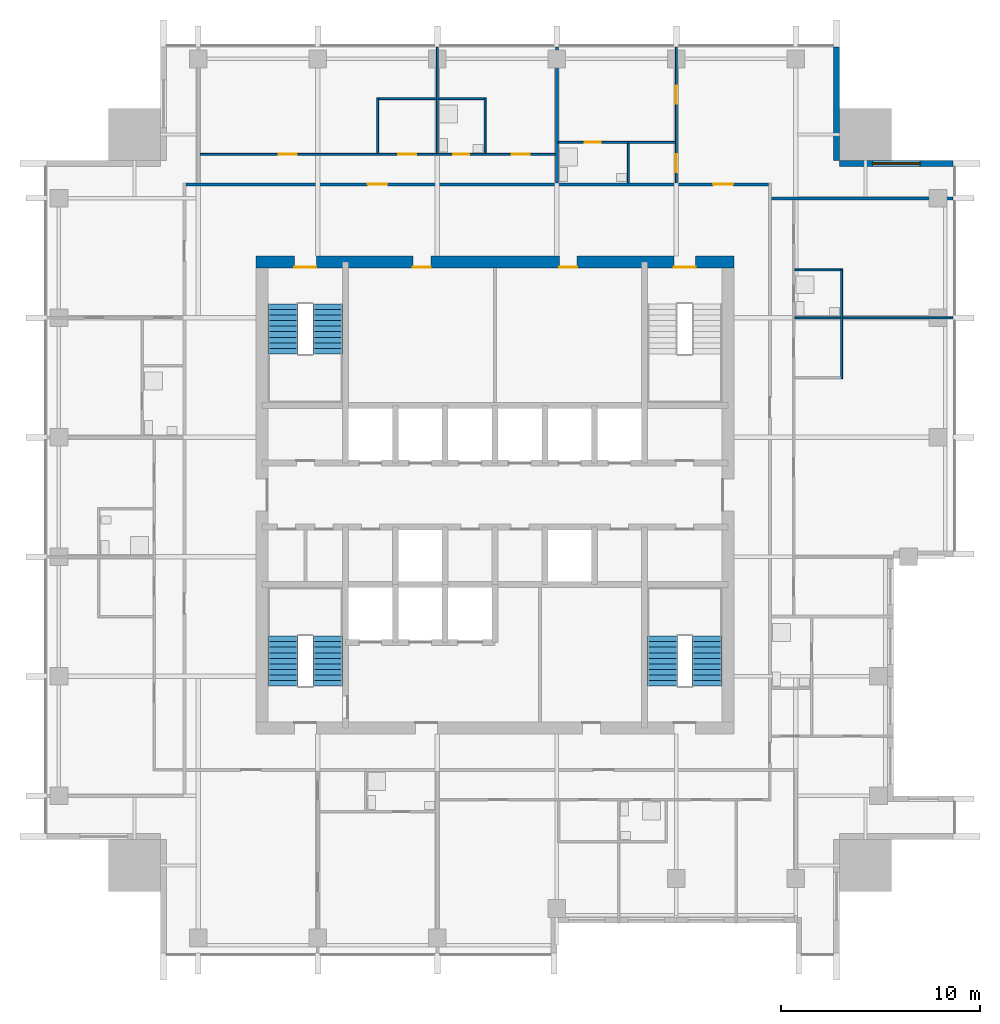
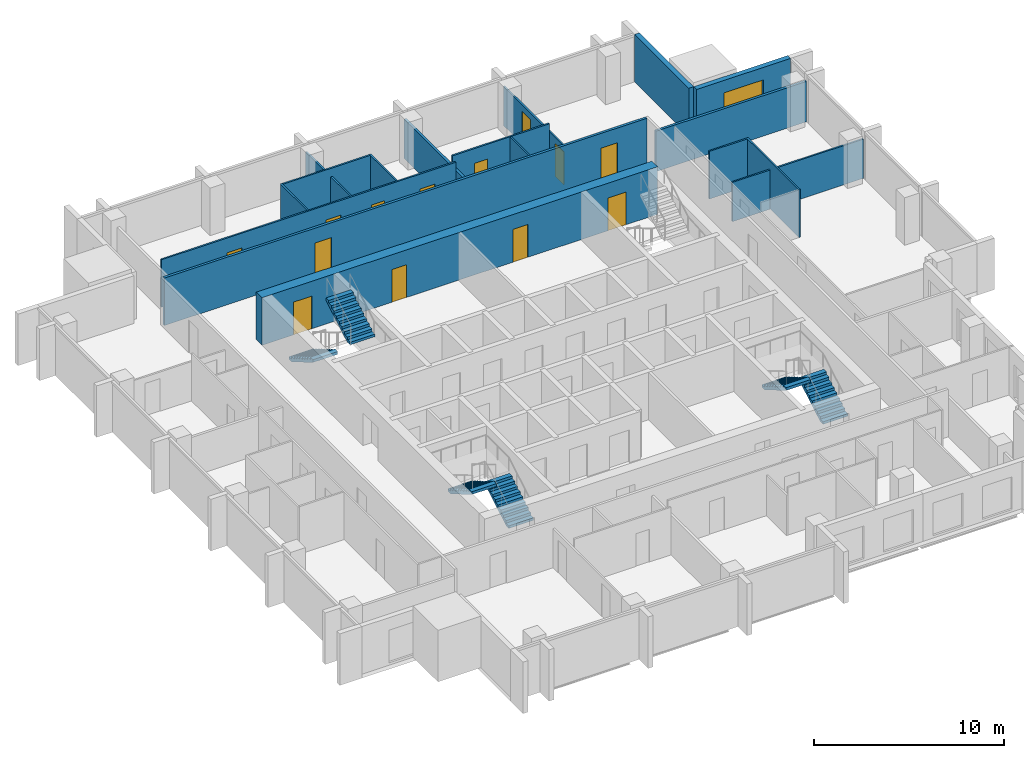
# One storey, part 7 of 10: 17 walls, 13 doors, 6 stair flights, 1 window, 14 openings, 3 elements without a shape of their own.
"""IFC4 building model written with IfcOpenShell, lengths in metres."""

import ifcopenshell
import ifcopenshell.guid

model = None  # the IFC model being written
_history = None  # IfcOwnerHistory: only IFC2X3 demands one
_inside = {}  # id of a spatial element -> (the spatial element, [elements in it])
_under = {}  # id of a project, library or spatial element -> (it, [spatial elements below it])
_declared = {}  # id of a project -> (the project, [libraries it declares])
_typed = {}  # id of a type object -> (the type object, [elements of that type])
_made_of = {}  # id of a material, layer set ... -> (it, [elements and type objects made of it])


def new_model(schema):
    """Start an empty IFC model of exactly this schema.

    Asked for "IFC4X3", IfcOpenShell would pick the latest addendum, in which some entities
    have other attributes; the version numbers below select the first issue.
    IFC2X3 requires an IfcOwnerHistory on every rooted entity: one is made here for all.
    """
    global model, _history
    if schema == "IFC4X3":
        model = ifcopenshell.file(schema_version=(4, 3, 0, 0))
    else:
        model = ifcopenshell.file(schema=schema)
    _inside.clear()
    _under.clear()
    _declared.clear()
    _typed.clear()
    _made_of.clear()
    _history = None
    if model.schema == "IFC2X3":
        org = make("IfcOrganization", Name="unknown")
        user = make(
            "IfcPersonAndOrganization",
            ThePerson=make("IfcPerson", FamilyName="unknown"),
            TheOrganization=org,
        )
        app = make(
            "IfcApplication",
            ApplicationDeveloper=org,
            Version="unknown",
            ApplicationFullName="unknown",
            ApplicationIdentifier="unknown",
        )
        _history = make(
            "IfcOwnerHistory",
            OwningUser=user,
            OwningApplication=app,
            ChangeAction="ADDED",
            CreationDate=0,
        )
    return model


def make(cls, **values):
    """One entity of the class cls with the attributes given. An attribute that is None is left unset."""
    return model.create_entity(
        cls, **{name: value for name, value in values.items() if value is not None}
    )


def rooted(cls, **values):
    """An entity with a GlobalId (a new one), such as an element, a storey or a relation."""
    return make(cls, GlobalId=ifcopenshell.guid.new(), OwnerHistory=_history, **values)


def si_unit(unit_type, name, prefix=None):
    """IfcSIUnit, for example si_unit("LENGTHUNIT", "METRE", prefix="MILLI")."""
    return make("IfcSIUnit", UnitType=unit_type, Prefix=prefix, Name=name)


def assignment(units):
    """IfcUnitAssignment: the units of a project."""
    return None if units is None else make("IfcUnitAssignment", Units=units)


def point(xyz):
    """IfcCartesianPoint."""
    return None if xyz is None else make("IfcCartesianPoint", Coordinates=xyz)


def direction(xyz):
    """IfcDirection."""
    return None if xyz is None else make("IfcDirection", DirectionRatios=xyz)


def frame(location, z_axis=None, x_axis=None):
    """IfcAxis2Placement3D, a coordinate frame: its origin and axes. An axis left out is left unset."""
    return make(
        "IfcAxis2Placement3D",
        Location=point(location),
        Axis=direction(z_axis),
        RefDirection=direction(x_axis),
    )


def frame_2d(location, x_axis=None):
    """IfcAxis2Placement2D, a coordinate frame in the plane: its origin and x axis."""
    return make(
        "IfcAxis2Placement2D", Location=point(location), RefDirection=direction(x_axis)
    )


def origin():
    """The frame at (0, 0, 0) with its axes left unset."""
    return frame((0.0, 0.0, 0.0))


def place(relative_to, where):
    """IfcLocalPlacement: puts the frame where relative to a parent placement (None: the world)."""
    return make(
        "IfcLocalPlacement", PlacementRelTo=relative_to, RelativePlacement=where
    )


def context(
    kind, dimensions, precision=None, world=None, true_north=None, identifier=None
):
    """IfcGeometricRepresentationContext, for example the 3D "Model" context."""
    return make(
        "IfcGeometricRepresentationContext",
        ContextIdentifier=identifier,
        ContextType=kind,
        CoordinateSpaceDimension=dimensions,
        Precision=precision,
        WorldCoordinateSystem=world,
        TrueNorth=true_north,
    )


def subcontext(parent, identifier, kind, view, scale=None):
    """IfcGeometricRepresentationSubContext, for example "Body" below "Model"."""
    return make(
        "IfcGeometricRepresentationSubContext",
        ContextIdentifier=identifier,
        ContextType=kind,
        ParentContext=parent,
        TargetScale=scale,
        TargetView=view,
    )


def project(units=None, contexts=None):
    """IfcProject with its units and contexts."""
    return rooted(
        "IfcProject",
        Name="project",
        RepresentationContexts=contexts,
        UnitsInContext=assignment(units),
    )


def spatial(cls, under=None, at=None, **own):
    """A site, building, storey or space (cls), placed at a placement, below another one or the project."""
    s = rooted(cls, ObjectPlacement=at, **own)
    if under is not None:
        _under.setdefault(under.id(), (under, []))[1].append(s)
    return s


def polyline(points):
    """IfcPolyline through the points."""
    return make("IfcPolyline", Points=[point(p) for p in points])


def profile(cls, at=None, kind="AREA", **sizes):
    """A parametric profile (cls). Its sizes go by their IFC names, for example OverallWidth=200.0."""
    return make(cls, ProfileType=kind, Position=at, **sizes)


def rectangle(**sizes):
    """IfcRectangleProfileDef."""
    return profile("IfcRectangleProfileDef", **sizes)


def outline(outer, holes=None, kind="AREA"):
    """IfcArbitraryClosedProfileDef: a profile drawn as a closed curve; with holes, ...WithVoids."""
    if holes is None:
        return make("IfcArbitraryClosedProfileDef", ProfileType=kind, OuterCurve=outer)
    return make(
        "IfcArbitraryProfileDefWithVoids",
        ProfileType=kind,
        OuterCurve=outer,
        InnerCurves=holes,
    )


def extrude(swept, where, along, depth):
    """IfcExtrudedAreaSolid: the profile swept, set in the frame where, extruded along a direction by depth."""
    return make(
        "IfcExtrudedAreaSolid",
        SweptArea=swept,
        Position=where,
        ExtrudedDirection=direction(along),
        Depth=depth,
    )


def shape(context_of_items, identifier, shape_type, items):
    """IfcShapeRepresentation: the items that make up one representation, for example the "Body"."""
    return make(
        "IfcShapeRepresentation",
        ContextOfItems=context_of_items,
        RepresentationIdentifier=identifier,
        RepresentationType=shape_type,
        Items=items,
    )


def material(Name=None, Category=None):
    """IfcMaterial."""
    return make("IfcMaterial", Name=Name, Category=Category)


def layer(
    of_material, thickness, ventilated=None, Name=None, Category=None, Priority=None
):
    """IfcMaterialLayer: one layer of a wall or slab, of a material (None: an air gap)."""
    return make(
        "IfcMaterialLayer",
        Material=of_material,
        LayerThickness=thickness,
        IsVentilated=ventilated,
        Name=Name,
        Category=Category,
        Priority=Priority,
    )


def layer_set(layers, Name=None):
    """IfcMaterialLayerSet."""
    return make("IfcMaterialLayerSet", MaterialLayers=layers, LayerSetName=Name)


def made_of(thing, what):
    """Note that an element or type object is made of a material, layer set ...; save() writes the relation."""
    if what is not None:
        _made_of.setdefault(what.id(), (what, []))[1].append(thing)
    return thing


def type_object(cls, material=None, **own):
    """A type object (cls), such as IfcWallType, which elements share."""
    return made_of(rooted(cls, **own), material)


def element(
    cls,
    number,
    at=None,
    inside=None,
    cuts=None,
    type_object=None,
    material=None,
    context=None,
    identifier="Body",
    shape_type=None,
    held_by="IfcProductDefinitionShape",
    body=None,
    shapes=None,
    **own,
):
    """One element of the class cls, such as IfcWall. Its Tag is "e" and its number.

    at: its placement. inside: the storey or other place that contains it. cuts: it is an
    opening in that element (IfcRelVoidsElement). A single representation is given by context,
    identifier, shape_type and body (its items); several are given by shapes. held_by: the class
    of the entity that holds the representations. save() writes the other relations.
    """
    e = rooted(cls, Tag="e%d" % number, ObjectPlacement=at, **own)
    if body is not None:
        shapes = [shape(context, identifier, shape_type, body)]
    if shapes is not None:
        e.Representation = make(held_by, Representations=shapes)
    if inside is not None:
        _inside.setdefault(inside.id(), (inside, []))[1].append(e)
    if cuts is not None:
        rooted(
            "IfcRelVoidsElement", RelatingBuildingElement=cuts, RelatedOpeningElement=e
        )
    if type_object is not None:
        _typed.setdefault(type_object.id(), (type_object, []))[1].append(e)
    return made_of(e, material)


def fill(opening, filler):
    """IfcRelFillsElement: the door or window that sits in an opening."""
    return rooted(
        "IfcRelFillsElement",
        RelatingOpeningElement=opening,
        RelatedBuildingElement=filler,
    )


def aggregate(whole, parts):
    """IfcRelAggregates: a whole, such as a stair, and the parts it consists of."""
    return rooted("IfcRelAggregates", RelatingObject=whole, RelatedObjects=parts)


def save(model, path):
    """Write the relations noted so far, then the file.

    IfcRelAggregates (storeys below a building ...), IfcRelContainedInSpatialStructure (elements
    in a storey), IfcRelDefinesByType, IfcRelAssociatesMaterial and IfcRelDeclares: one each for
    every whole, place, type object, material and project.
    """
    for whole, parts in _under.values():
        aggregate(whole, parts)
    for where, things in _inside.values():
        rooted(
            "IfcRelContainedInSpatialStructure",
            RelatedElements=things,
            RelatingStructure=where,
        )
    for kind, things in _typed.values():
        rooted("IfcRelDefinesByType", RelatedObjects=things, RelatingType=kind)
    for what, things in _made_of.values():
        rooted("IfcRelAssociatesMaterial", RelatedObjects=things, RelatingMaterial=what)
    for by, libraries in _declared.values():
        rooted("IfcRelDeclares", RelatingContext=by, RelatedDefinitions=libraries)
    model.write(path)


model = new_model("IFC4")

# Units and contexts
model_context = context("Model", 3, precision=1e-05, world=origin(), true_north=direction((0.0, 1.0)))
body_context = subcontext(model_context, "Body", "Model", "MODEL_VIEW")
ifc_project = project(units=[si_unit("LENGTHUNIT", "METRE"), si_unit("AREAUNIT", "SQUARE_METRE"), si_unit("VOLUMEUNIT", "CUBIC_METRE"), si_unit("PLANEANGLEUNIT", "RADIAN"), si_unit("MASSUNIT", "GRAM", prefix="KILO")], contexts=[model_context])

# Site, building, storey
site_placement = place(None, origin())
site = spatial("IfcSite", under=ifc_project, at=site_placement, CompositionType="ELEMENT")
building_placement = place(site_placement, origin())
building = spatial("IfcBuilding", under=site, at=building_placement, Name="Amberfall Residences", CompositionType="ELEMENT")
storey_placement = place(building_placement, frame((0.0, 0.0, 213.39990234375)))
storey = spatial("IfcBuildingStorey", under=building, at=storey_placement, Name="L57", CompositionType="ELEMENT", Elevation=213.39990234375)

# Wall, opening, window
ifc_material_1 = material(Name="Pale stone cladding on insulated backing", Category="masonry")
ifc_layer_1 = layer(ifc_material_1, 0.300048828125)
ifc_layer_set_1 = layer_set([ifc_layer_1], Name="Bronze clad wall 300")
wall_type_1 = type_object("IfcWallType", Name="Bronze clad wall 300", PredefinedType="SOLIDWALL", material=ifc_layer_set_1)
wall_1_placement = place(storey_placement, frame((97.5, 62.14990234375, 0.0), z_axis=(0.0, 0.0, 1.0), x_axis=(-1.0, 0.0, 0.0)))
wall_1 = element("IfcWall", 1, at=wall_1_placement, inside=storey, type_object=wall_type_1, Name="External wall L57 NE", PredefinedType="SOLIDWALL", context=body_context, shape_type="SweptSolid", body=[
    extrude(rectangle(XDim=5.699951171875, YDim=0.300048828125, at=frame_2d((2.85009765625, 0.0))), origin(), (0.0, 0.0, 1.0), 3.050048828125),
])
opening_1_placement = place(wall_1_placement, frame((1.64990234375, 0.0, 0.14990234375)))
opening_1 = element("IfcOpeningElement", 2, at=opening_1_placement, cuts=wall_1, Name="Opening WN5", PredefinedType="OPENING", context=body_context, shape_type="SweptSolid", body=[
    extrude(rectangle(XDim=2.39990234375, YDim=2.10009765625, at=frame_2d((1.199951171875, 1.050048828125))), frame((0.0, 0.159912109375, 0.0), z_axis=(0.0, -1.0, 0.0), x_axis=(1.0, 0.0, 0.0)), (0.0, 0.0, 1.0), 0.320068359375),
])
ifc_material_2 = material(Name="Bronze aluminium framed glazing", Category="aluminium")
window_type = type_object("IfcWindowType", Name="Glazed opening 2400 x 2100 bronze", PartitioningType="DOUBLE_PANEL_VERTICAL", PredefinedType="WINDOW", material=ifc_material_2)
window_placement = place(opening_1_placement, origin())
window = element("IfcWindow", 3, at=window_placement, inside=storey, type_object=window_type, Name="Window L57 NE", OverallHeight=2.10009765625, OverallWidth=2.39990234375, PartitioningType="DOUBLE_PANEL_VERTICAL", PredefinedType="WINDOW", context=body_context, shape_type="SweptSolid", body=[
    extrude(rectangle(XDim=2.39990234375, YDim=2.10009765625, at=frame_2d((1.199951171875, 1.050048828125))), frame((0.0, 0.030029296875, 0.0), z_axis=(0.0, -1.0, 0.0), x_axis=(1.0, 0.0, 0.0)), (0.0, 0.0, 1.0), 0.06005859375),
])
fill(opening_1, window)

# Wall
wall_2_placement = place(storey_placement, frame((91.64990234375, 62.300048828125, 0.0), z_axis=(0.0, 0.0, 1.0), x_axis=(0.0, 1.0, 0.0)))
element("IfcWall", 4, at=wall_2_placement, inside=storey, type_object=wall_type_1, Name="External wall L57 NE", PredefinedType="SOLIDWALL", context=body_context, shape_type="SweptSolid", body=[
    extrude(rectangle(XDim=5.699951171875, YDim=0.300048828125, at=frame_2d((2.85009765625, 0.0))), origin(), (0.0, 0.0, 1.0), 3.050048828125),
])

# Wall, openings, doors
ifc_material_3 = material(Name="Concrete C55", Category="concrete")
ifc_layer_2 = layer(ifc_material_3, 0.60009765625)
ifc_layer_set_2 = layer_set([ifc_layer_2], Name="Core wall 600 C55")
wall_type_2 = type_object("IfcWallType", Name="Core wall 600 C55", PredefinedType="SHEAR", material=ifc_layer_set_2)
wall_3_placement = place(storey_placement, frame((62.5, 57.199951171875, 0.0), z_axis=(0.0, 0.0, 1.0), x_axis=(1.0, 0.0, 0.0)))
wall_3 = element("IfcWall", 5, at=wall_3_placement, inside=storey, type_object=wall_type_2, Name="Core wall RW7 L57 ON", PredefinedType="SHEAR", context=body_context, shape_type="SweptSolid", body=[
    extrude(rectangle(XDim=24.0, YDim=0.60009765625, at=frame_2d((12.0, 0.0))), origin(), (0.0, 0.0, 1.0), 3.050048828125),
])
opening_2_placement = place(wall_3_placement, frame((20.97509765625, 0.0, 0.0)))
opening_2 = element("IfcOpeningElement", 6, at=opening_2_placement, cuts=wall_3, Name="Opening SD1", PredefinedType="OPENING", context=body_context, shape_type="SweptSolid", body=[
    extrude(rectangle(XDim=1.10009765625, YDim=2.10009765625, at=frame_2d((0.550048828125, 1.050048828125))), frame((0.0, 0.31005859375, 0.0), z_axis=(0.0, -1.0, 0.0), x_axis=(1.0, 0.0, 0.0)), (0.0, 0.0, 1.0), 0.6201171875),
])
opening_3_placement = place(wall_3_placement, frame((1.925048828125, 0.0, 0.0)))
opening_3 = element("IfcOpeningElement", 7, at=opening_3_placement, cuts=wall_3, Name="Opening SD1", PredefinedType="OPENING", context=body_context, shape_type="SweptSolid", body=[
    extrude(rectangle(XDim=1.10009765625, YDim=2.10009765625, at=frame_2d((0.550048828125, 1.050048828125))), frame((0.0, 0.31005859375, 0.0), z_axis=(0.0, -1.0, 0.0), x_axis=(1.0, 0.0, 0.0)), (0.0, 0.0, 1.0), 0.6201171875),
])
opening_4_placement = place(wall_3_placement, frame((7.875, 0.0, 0.0)))
opening_4 = element("IfcOpeningElement", 8, at=opening_4_placement, cuts=wall_3, Name="Opening RD1", PredefinedType="OPENING", context=body_context, shape_type="SweptSolid", body=[
    extrude(rectangle(XDim=0.89990234375, YDim=2.10009765625, at=frame_2d((0.449951171875, 1.050048828125))), frame((0.0, 0.31005859375, 0.0), z_axis=(0.0, -1.0, 0.0), x_axis=(1.0, 0.0, 0.0)), (0.0, 0.0, 1.0), 0.6201171875),
])
opening_5_placement = place(wall_3_placement, frame((15.22509765625, 0.0, 0.0)))
opening_5 = element("IfcOpeningElement", 9, at=opening_5_placement, cuts=wall_3, Name="Opening RD1", PredefinedType="OPENING", context=body_context, shape_type="SweptSolid", body=[
    extrude(rectangle(XDim=0.89990234375, YDim=2.10009765625, at=frame_2d((0.449951171875, 1.050048828125))), frame((0.0, 0.31005859375, 0.0), z_axis=(0.0, -1.0, 0.0), x_axis=(1.0, 0.0, 0.0)), (0.0, 0.0, 1.0), 0.6201171875),
])
ifc_material_4 = material(Name="Steel fire door set", Category="steel")
door_type_1 = type_object("IfcDoorType", Name="Service room door 900 x 2100", OperationType="SINGLE_SWING_LEFT", PredefinedType="DOOR", material=ifc_material_4)
door_1_placement = place(opening_4_placement, origin())
door_1 = element("IfcDoor", 10, at=door_1_placement, inside=storey, type_object=door_type_1, Name="RD1 L57", OperationType="SINGLE_SWING_RIGHT", OverallHeight=2.10009765625, OverallWidth=0.89990234375, PredefinedType="DOOR", context=body_context, shape_type="SweptSolid", body=[
    extrude(rectangle(XDim=0.89990234375, YDim=2.10009765625, at=frame_2d((0.449951171875, 1.050048828125))), frame((0.0, -0.2373046875, 0.0), z_axis=(0.0, -1.0, 0.0), x_axis=(1.0, 0.0, 0.0)), (0.0, 0.0, 1.0), 0.050048828125),
])
fill(opening_4, door_1)
door_2_placement = place(opening_5_placement, origin())
door_2 = element("IfcDoor", 11, at=door_2_placement, inside=storey, type_object=door_type_1, Name="RD1 L57", OperationType="SINGLE_SWING_RIGHT", OverallHeight=2.10009765625, OverallWidth=0.89990234375, PredefinedType="DOOR", context=body_context, shape_type="SweptSolid", body=[
    extrude(rectangle(XDim=0.89990234375, YDim=2.10009765625, at=frame_2d((0.449951171875, 1.050048828125))), frame((0.0, -0.2373046875, 0.0), z_axis=(0.0, -1.0, 0.0), x_axis=(1.0, 0.0, 0.0)), (0.0, 0.0, 1.0), 0.050048828125),
])
fill(opening_5, door_2)
door_type_2 = type_object("IfcDoorType", Name="Stair door 1100 x 2100", OperationType="SINGLE_SWING_LEFT", PredefinedType="DOOR", material=ifc_material_4)
door_3_placement = place(opening_2_placement, origin())
door_3 = element("IfcDoor", 12, at=door_3_placement, inside=storey, type_object=door_type_2, Name="SD1 L57", OperationType="SINGLE_SWING_RIGHT", OverallHeight=2.10009765625, OverallWidth=1.10009765625, PredefinedType="DOOR", context=body_context, shape_type="SweptSolid", body=[
    extrude(rectangle(XDim=1.10009765625, YDim=2.10009765625, at=frame_2d((0.550048828125, 1.050048828125))), frame((0.0, -0.2373046875, 0.0), z_axis=(0.0, -1.0, 0.0), x_axis=(1.0, 0.0, 0.0)), (0.0, 0.0, 1.0), 0.050048828125),
])
fill(opening_2, door_3)
door_4_placement = place(opening_3_placement, origin())
door_4 = element("IfcDoor", 13, at=door_4_placement, inside=storey, type_object=door_type_2, Name="SD1 L57", OperationType="SINGLE_SWING_LEFT", OverallHeight=2.10009765625, OverallWidth=1.10009765625, PredefinedType="DOOR", context=body_context, shape_type="SweptSolid", body=[
    extrude(rectangle(XDim=1.10009765625, YDim=2.10009765625, at=frame_2d((0.550048828125, 1.050048828125))), frame((0.0, -0.2373046875, 0.0), z_axis=(0.0, -1.0, 0.0), x_axis=(1.0, 0.0, 0.0)), (0.0, 0.0, 1.0), 0.050048828125),
])
fill(opening_3, door_4)

# Walls
ifc_material_5 = material(Name="Gypsum board on metal stud")
ifc_layer_3 = layer(ifc_material_5, 0.10009765625)
ifc_layer_set_3 = layer_set([ifc_layer_3], Name="Flat partition 100")
wall_type_3 = type_object("IfcWallType", Name="Flat partition 100", PredefinedType="PARTITIONING", material=ifc_layer_set_3)
wall_4_placement = place(storey_placement, frame((68.60009765625, 62.64990234375, 0.0), z_axis=(0.0, 0.0, 1.0), x_axis=(0.0, 1.0, 0.0)))
element("IfcWall", 14, at=wall_4_placement, inside=storey, type_object=wall_type_3, Name="Partition 006", PredefinedType="PARTITIONING", context=body_context, shape_type="SweptSolid", body=[
    extrude(rectangle(XDim=2.800048828125, YDim=0.10009765625, at=frame_2d((1.39990234375, 0.0))), origin(), (0.0, 0.0, 1.0), 3.050048828125),
])
wall_5_placement = place(storey_placement, frame((71.60009765625, 62.64990234375, 0.0), z_axis=(0.0, 0.0, 1.0), x_axis=(0.0, 1.0, 0.0)))
element("IfcWall", 15, at=wall_5_placement, inside=storey, type_object=wall_type_3, Name="Partition 007", PredefinedType="PARTITIONING", context=body_context, shape_type="SweptSolid", body=[
    extrude(rectangle(XDim=5.35009765625, YDim=0.10009765625, at=frame_2d((2.675048828125, 0.0))), origin(), (0.0, 0.0, 1.0), 2.51611328125),
])
wall_6_placement = place(storey_placement, frame((74.0, 62.64990234375, 0.0), z_axis=(0.0, 0.0, 1.0), x_axis=(0.0, 1.0, 0.0)))
element("IfcWall", 16, at=wall_6_placement, inside=storey, type_object=wall_type_3, Name="Partition 008", PredefinedType="PARTITIONING", context=body_context, shape_type="SweptSolid", body=[
    extrude(rectangle(XDim=2.800048828125, YDim=0.10009765625, at=frame_2d((1.39990234375, 0.0))), origin(), (0.0, 0.0, 1.0), 3.050048828125),
])
wall_7_placement = place(storey_placement, frame((81.199951171875, 61.175048828125, 0.0), z_axis=(0.0, 0.0, 1.0), x_axis=(0.0, 1.0, 0.0)))
element("IfcWall", 17, at=wall_7_placement, inside=storey, type_object=wall_type_3, Name="Partition 011", PredefinedType="PARTITIONING", context=body_context, shape_type="SweptSolid", body=[
    extrude(rectangle(XDim=1.974853515625, YDim=0.10009765625, at=frame_2d((0.9873046875, 0.0))), origin(), (0.0, 0.0, 1.0), 3.050048828125),
])

# Wall, openings, doors
wall_8_placement = place(storey_placement, frame((83.60009765625, 61.175048828125, 0.0), z_axis=(0.0, 0.0, 1.0), x_axis=(0.0, 1.0, 0.0)))
wall_8 = element("IfcWall", 18, at=wall_8_placement, inside=storey, type_object=wall_type_3, Name="Partition 013", PredefinedType="PARTITIONING", context=body_context, shape_type="SweptSolid", body=[
    extrude(rectangle(XDim=6.824951171875, YDim=0.10009765625, at=frame_2d((3.41259765625, 0.0))), origin(), (0.0, 0.0, 1.0), 2.51611328125),
])
opening_6_placement = place(wall_8_placement, frame((0.52490234375, 0.0, 0.0)))
opening_6 = element("IfcOpeningElement", 19, at=opening_6_placement, cuts=wall_8, Name="Opening D41", PredefinedType="OPENING", context=body_context, shape_type="SweptSolid", body=[
    extrude(rectangle(XDim=0.89990234375, YDim=2.10009765625, at=frame_2d((0.449951171875, 1.050048828125))), frame((0.0, 0.06005859375, 0.0), z_axis=(0.0, -1.0, 0.0), x_axis=(1.0, 0.0, 0.0)), (0.0, 0.0, 1.0), 0.1201171875),
])
opening_7_placement = place(wall_8_placement, frame((3.97509765625, 0.0, 0.0)))
opening_7 = element("IfcOpeningElement", 20, at=opening_7_placement, cuts=wall_8, Name="Opening D41", PredefinedType="OPENING", context=body_context, shape_type="SweptSolid", body=[
    extrude(rectangle(XDim=0.89990234375, YDim=2.10009765625, at=frame_2d((0.449951171875, 1.050048828125))), frame((0.0, 0.06005859375, 0.0), z_axis=(0.0, -1.0, 0.0), x_axis=(1.0, 0.0, 0.0)), (0.0, 0.0, 1.0), 0.1201171875),
])
ifc_material_6 = material(Name="Timber", Category="wood")
door_type_3 = type_object("IfcDoorType", Name="Internal door 900 x 2100", OperationType="SINGLE_SWING_LEFT", PredefinedType="DOOR", material=ifc_material_6)
door_5_placement = place(opening_6_placement, origin())
door_5 = element("IfcDoor", 21, at=door_5_placement, inside=storey, type_object=door_type_3, Name="Door 5706 kitchen", OperationType="SINGLE_SWING_LEFT", OverallHeight=2.10009765625, OverallWidth=0.89990234375, PredefinedType="DOOR", context=body_context, shape_type="SweptSolid", body=[
    extrude(rectangle(XDim=0.89990234375, YDim=2.10009765625, at=frame_2d((0.449951171875, 1.050048828125))), frame((0.0, 0.02490234375, 0.0), z_axis=(0.0, -1.0, 0.0), x_axis=(1.0, 0.0, 0.0)), (0.0, 0.0, 1.0), 0.050048828125),
])
fill(opening_6, door_5)
door_6_placement = place(opening_7_placement, origin())
door_6 = element("IfcDoor", 22, at=door_6_placement, inside=storey, type_object=door_type_3, Name="Door 5706 bedroom1", OperationType="SINGLE_SWING_LEFT", OverallHeight=2.10009765625, OverallWidth=0.89990234375, PredefinedType="DOOR", context=body_context, shape_type="SweptSolid", body=[
    extrude(rectangle(XDim=0.89990234375, YDim=2.10009765625, at=frame_2d((0.449951171875, 1.050048828125))), frame((0.0, 0.02490234375, 0.0), z_axis=(0.0, -1.0, 0.0), x_axis=(1.0, 0.0, 0.0)), (0.0, 0.0, 1.0), 0.050048828125),
])
fill(opening_7, door_6)

# Walls
wall_9_placement = place(storey_placement, frame((91.89990234375, 51.35009765625, 0.0), z_axis=(0.0, 0.0, 1.0), x_axis=(0.0, 1.0, 0.0)))
element("IfcWall", 23, at=wall_9_placement, inside=storey, type_object=wall_type_3, Name="Partition 018", PredefinedType="PARTITIONING", context=body_context, shape_type="SweptSolid", body=[
    extrude(rectangle(XDim=5.5, YDim=0.10009765625, at=frame_2d((2.75, 0.0))), origin(), (0.0, 0.0, 1.0), 3.050048828125),
])
wall_10_placement = place(storey_placement, frame((68.64990234375, 65.39990234375, 0.0), z_axis=(0.0, 0.0, 1.0), x_axis=(1.0, 0.0, 0.0)))
element("IfcWall", 24, at=wall_10_placement, inside=storey, type_object=wall_type_3, Name="Partition 019", PredefinedType="PARTITIONING", context=body_context, shape_type="SweptSolid", body=[
    extrude(rectangle(XDim=5.300048828125, YDim=0.10009765625, at=frame_2d((2.64990234375, 0.0))), origin(), (0.0, 0.0, 1.0), 3.050048828125),
])

# Wall, opening, door
wall_11_placement = place(storey_placement, frame((83.550048828125, 63.199951171875, 0.0), z_axis=(0.0, 0.0, 1.0), x_axis=(-1.0, 0.0, 0.0)))
wall_11 = element("IfcWall", 25, at=wall_11_placement, inside=storey, type_object=wall_type_3, Name="Partition 020", PredefinedType="PARTITIONING", context=body_context, shape_type="SweptSolid", body=[
    extrude(rectangle(XDim=5.875, YDim=0.10009765625, at=frame_2d((2.9375, 0.0))), origin(), (0.0, 0.0, 1.0), 3.050048828125),
])
opening_8_placement = place(wall_11_placement, frame((3.75, 0.0, 0.0)))
opening_8 = element("IfcOpeningElement", 26, at=opening_8_placement, cuts=wall_11, Name="Opening D42", PredefinedType="OPENING", context=body_context, shape_type="SweptSolid", body=[
    extrude(rectangle(XDim=0.800048828125, YDim=2.10009765625, at=frame_2d((0.39990234375, 1.050048828125))), frame((0.0, 0.06005859375, 0.0), z_axis=(0.0, -1.0, 0.0), x_axis=(1.0, 0.0, 0.0)), (0.0, 0.0, 1.0), 0.1201171875),
])
door_type_4 = type_object("IfcDoorType", Name="Bathroom door 800 x 2100", OperationType="SINGLE_SWING_LEFT", PredefinedType="DOOR", material=ifc_material_6)
door_7_placement = place(opening_8_placement, origin())
door_7 = element("IfcDoor", 27, at=door_7_placement, inside=storey, type_object=door_type_4, Name="Door 5706 bath1", OperationType="SINGLE_SWING_LEFT", OverallHeight=2.10009765625, OverallWidth=0.800048828125, PredefinedType="DOOR", context=body_context, shape_type="SweptSolid", body=[
    extrude(rectangle(XDim=0.800048828125, YDim=2.10009765625, at=frame_2d((0.39990234375, 1.050048828125))), frame((0.0, 0.02490234375, 0.0), z_axis=(0.0, -1.0, 0.0), x_axis=(1.0, 0.0, 0.0)), (0.0, 0.0, 1.0), 0.050048828125),
])
fill(opening_8, door_7)

# Wall, openings, doors
wall_12_placement = place(storey_placement, frame((59.675048828125, 62.60009765625, 0.0), z_axis=(0.0, 0.0, 1.0), x_axis=(1.0, 0.0, 0.0)))
wall_12 = element("IfcWall", 28, at=wall_12_placement, inside=storey, type_object=wall_type_3, Name="Partition 021", PredefinedType="PARTITIONING", context=body_context, shape_type="SweptSolid", body=[
    extrude(rectangle(XDim=17.849853515625, YDim=0.10009765625, at=frame_2d((8.9248046875, 0.0))), origin(), (0.0, 0.0, 1.0), 3.050048828125),
])
opening_9_placement = place(wall_12_placement, frame((3.97509765625, 0.0, 0.0)))
opening_9 = element("IfcOpeningElement", 29, at=opening_9_placement, cuts=wall_12, Name="Opening D41", PredefinedType="OPENING", context=body_context, shape_type="SweptSolid", body=[
    extrude(rectangle(XDim=0.89990234375, YDim=2.10009765625, at=frame_2d((0.449951171875, 1.050048828125))), frame((0.0, 0.06005859375, 0.0), z_axis=(0.0, -1.0, 0.0), x_axis=(1.0, 0.0, 0.0)), (0.0, 0.0, 1.0), 0.1201171875),
])
opening_10_placement = place(wall_12_placement, frame((9.97509765625, 0.0, 0.0)))
opening_10 = element("IfcOpeningElement", 30, at=opening_10_placement, cuts=wall_12, Name="Opening D41", PredefinedType="OPENING", context=body_context, shape_type="SweptSolid", body=[
    extrude(rectangle(XDim=0.89990234375, YDim=2.10009765625, at=frame_2d((0.449951171875, 1.050048828125))), frame((0.0, 0.06005859375, 0.0), z_axis=(0.0, -1.0, 0.0), x_axis=(1.0, 0.0, 0.0)), (0.0, 0.0, 1.0), 0.1201171875),
])
opening_11_placement = place(wall_12_placement, frame((15.675048828125, 0.0, 0.0)))
opening_11 = element("IfcOpeningElement", 31, at=opening_11_placement, cuts=wall_12, Name="Opening D41", PredefinedType="OPENING", context=body_context, shape_type="SweptSolid", body=[
    extrude(rectangle(XDim=0.89990234375, YDim=2.10009765625, at=frame_2d((0.449951171875, 1.050048828125))), frame((0.0, 0.06005859375, 0.0), z_axis=(0.0, -1.0, 0.0), x_axis=(1.0, 0.0, 0.0)), (0.0, 0.0, 1.0), 0.1201171875),
])
opening_12_placement = place(wall_12_placement, frame((12.72509765625, 0.0, 0.0)))
opening_12 = element("IfcOpeningElement", 32, at=opening_12_placement, cuts=wall_12, Name="Opening D42", PredefinedType="OPENING", context=body_context, shape_type="SweptSolid", body=[
    extrude(rectangle(XDim=0.800048828125, YDim=2.10009765625, at=frame_2d((0.39990234375, 1.050048828125))), frame((0.0, 0.06005859375, 0.0), z_axis=(0.0, -1.0, 0.0), x_axis=(1.0, 0.0, 0.0)), (0.0, 0.0, 1.0), 0.1201171875),
])
door_8_placement = place(opening_12_placement, origin())
door_8 = element("IfcDoor", 33, at=door_8_placement, inside=storey, type_object=door_type_4, Name="Door 5705 bath1", OperationType="SINGLE_SWING_LEFT", OverallHeight=2.10009765625, OverallWidth=0.800048828125, PredefinedType="DOOR", context=body_context, shape_type="SweptSolid", body=[
    extrude(rectangle(XDim=0.800048828125, YDim=2.10009765625, at=frame_2d((0.39990234375, 1.050048828125))), frame((0.0, 0.02490234375, 0.0), z_axis=(0.0, -1.0, 0.0), x_axis=(1.0, 0.0, 0.0)), (0.0, 0.0, 1.0), 0.050048828125),
])
fill(opening_12, door_8)
door_9_placement = place(opening_9_placement, origin())
door_9 = element("IfcDoor", 34, at=door_9_placement, inside=storey, type_object=door_type_3, Name="Door 5705 living", OperationType="SINGLE_SWING_LEFT", OverallHeight=2.10009765625, OverallWidth=0.89990234375, PredefinedType="DOOR", context=body_context, shape_type="SweptSolid", body=[
    extrude(rectangle(XDim=0.89990234375, YDim=2.10009765625, at=frame_2d((0.449951171875, 1.050048828125))), frame((0.0, 0.02490234375, 0.0), z_axis=(0.0, -1.0, 0.0), x_axis=(1.0, 0.0, 0.0)), (0.0, 0.0, 1.0), 0.050048828125),
])
fill(opening_9, door_9)
door_10_placement = place(opening_10_placement, origin())
door_10 = element("IfcDoor", 35, at=door_10_placement, inside=storey, type_object=door_type_3, Name="Door 5705 kitchen", OperationType="SINGLE_SWING_LEFT", OverallHeight=2.10009765625, OverallWidth=0.89990234375, PredefinedType="DOOR", context=body_context, shape_type="SweptSolid", body=[
    extrude(rectangle(XDim=0.89990234375, YDim=2.10009765625, at=frame_2d((0.449951171875, 1.050048828125))), frame((0.0, 0.02490234375, 0.0), z_axis=(0.0, -1.0, 0.0), x_axis=(1.0, 0.0, 0.0)), (0.0, 0.0, 1.0), 0.050048828125),
])
fill(opening_10, door_10)
door_11_placement = place(opening_11_placement, origin())
door_11 = element("IfcDoor", 36, at=door_11_placement, inside=storey, type_object=door_type_3, Name="Door 5705 bedroom1", OperationType="SINGLE_SWING_LEFT", OverallHeight=2.10009765625, OverallWidth=0.89990234375, PredefinedType="DOOR", context=body_context, shape_type="SweptSolid", body=[
    extrude(rectangle(XDim=0.89990234375, YDim=2.10009765625, at=frame_2d((0.449951171875, 1.050048828125))), frame((0.0, 0.02490234375, 0.0), z_axis=(0.0, -1.0, 0.0), x_axis=(1.0, 0.0, 0.0)), (0.0, 0.0, 1.0), 0.050048828125),
])
fill(opening_11, door_11)

# Walls
wall_13_placement = place(storey_placement, frame((89.550048828125, 56.800048828125, 0.0), z_axis=(0.0, 0.0, 1.0), x_axis=(1.0, 0.0, 0.0)))
element("IfcWall", 37, at=wall_13_placement, inside=storey, type_object=wall_type_3, Name="Partition 022", PredefinedType="PARTITIONING", context=body_context, shape_type="SweptSolid", body=[
    extrude(rectangle(XDim=2.300048828125, YDim=0.10009765625, at=frame_2d((1.14990234375, 0.0))), origin(), (0.0, 0.0, 1.0), 3.050048828125),
])
wall_14_placement = place(storey_placement, frame((89.550048828125, 54.39990234375, 0.0), z_axis=(0.0, 0.0, 1.0), x_axis=(1.0, 0.0, 0.0)))
element("IfcWall", 38, at=wall_14_placement, inside=storey, type_object=wall_type_3, Name="Partition 024", PredefinedType="PARTITIONING", context=body_context, shape_type="SweptSolid", body=[
    extrude(rectangle(XDim=7.949951171875, YDim=0.10009765625, at=frame_2d((3.97509765625, 0.0))), origin(), (0.0, 0.0, 1.0), 2.51611328125),
])
ifc_material_7 = material(Name="Blockwork, plastered", Category="masonry")
ifc_layer_4 = layer(ifc_material_7, 0.14990234375)
ifc_layer_set_4 = layer_set([ifc_layer_4], Name="Flat separating wall 150")
wall_type_4 = type_object("IfcWallType", Name="Flat separating wall 150", PredefinedType="PARTITIONING", material=ifc_layer_set_4)
wall_15_placement = place(storey_placement, frame((77.60009765625, 61.175048828125, 0.0), z_axis=(0.0, 0.0, 1.0), x_axis=(0.0, 1.0, 0.0)))
element("IfcWall", 39, at=wall_15_placement, inside=storey, type_object=wall_type_4, Name="Separating wall 040", PredefinedType="PARTITIONING", context=body_context, shape_type="SweptSolid", body=[
    extrude(rectangle(XDim=6.824951171875, YDim=0.14990234375, at=frame_2d((3.41259765625, 0.0))), origin(), (0.0, 0.0, 1.0), 2.51611328125),
])

# Wall, openings, doors
wall_16_placement = place(storey_placement, frame((58.97509765625, 61.10009765625, 0.0), z_axis=(0.0, 0.0, 1.0), x_axis=(1.0, 0.0, 0.0)))
wall_16 = element("IfcWall", 40, at=wall_16_placement, inside=storey, type_object=wall_type_4, Name="Separating wall 043", PredefinedType="PARTITIONING", context=body_context, shape_type="SweptSolid", body=[
    extrude(rectangle(XDim=29.25, YDim=0.14990234375, at=frame_2d((14.625, 0.0))), origin(), (0.0, 0.0, 1.0), 3.050048828125),
])
opening_13_placement = place(wall_16_placement, frame((9.125, 0.0, 0.0)))
opening_13 = element("IfcOpeningElement", 41, at=opening_13_placement, cuts=wall_16, Name="Opening D40", PredefinedType="OPENING", context=body_context, shape_type="SweptSolid", body=[
    extrude(rectangle(XDim=1.0, YDim=2.10009765625, at=frame_2d((0.5, 1.050048828125))), frame((0.0, 0.0849609375, 0.0), z_axis=(0.0, -1.0, 0.0), x_axis=(1.0, 0.0, 0.0)), (0.0, 0.0, 1.0), 0.169921875),
])
opening_14_placement = place(wall_16_placement, frame((26.47509765625, 0.0, 0.0)))
opening_14 = element("IfcOpeningElement", 42, at=opening_14_placement, cuts=wall_16, Name="Opening D40", PredefinedType="OPENING", context=body_context, shape_type="SweptSolid", body=[
    extrude(rectangle(XDim=1.0, YDim=2.10009765625, at=frame_2d((0.5, 1.050048828125))), frame((0.0, 0.0849609375, 0.0), z_axis=(0.0, -1.0, 0.0), x_axis=(1.0, 0.0, 0.0)), (0.0, 0.0, 1.0), 0.169921875),
])
ifc_material_8 = material(Name="Timber, fire-rated", Category="wood")
door_type_5 = type_object("IfcDoorType", Name="Flat entrance door FD60 1000 x 2100", OperationType="SINGLE_SWING_LEFT", PredefinedType="DOOR", material=ifc_material_8)
door_12_placement = place(opening_13_placement, origin())
door_12 = element("IfcDoor", 43, at=door_12_placement, inside=storey, type_object=door_type_5, Name="Door 5705 entrance", OperationType="SINGLE_SWING_LEFT", OverallHeight=2.10009765625, OverallWidth=1.0, PredefinedType="DOOR", context=body_context, shape_type="SweptSolid", body=[
    extrude(rectangle(XDim=1.0, YDim=2.10009765625, at=frame_2d((0.5, 1.050048828125))), frame((0.0, 0.02490234375, 0.0), z_axis=(0.0, -1.0, 0.0), x_axis=(1.0, 0.0, 0.0)), (0.0, 0.0, 1.0), 0.050048828125),
])
fill(opening_13, door_12)
door_13_placement = place(opening_14_placement, origin())
door_13 = element("IfcDoor", 44, at=door_13_placement, inside=storey, type_object=door_type_5, Name="Door 5706 entrance", OperationType="SINGLE_SWING_LEFT", OverallHeight=2.10009765625, OverallWidth=1.0, PredefinedType="DOOR", context=body_context, shape_type="SweptSolid", body=[
    extrude(rectangle(XDim=1.0, YDim=2.10009765625, at=frame_2d((0.5, 1.050048828125))), frame((0.0, 0.02490234375, 0.0), z_axis=(0.0, -1.0, 0.0), x_axis=(1.0, 0.0, 0.0)), (0.0, 0.0, 1.0), 0.050048828125),
])
fill(opening_14, door_13)

# Wall
wall_17_placement = place(storey_placement, frame((88.375, 60.39990234375, 0.0), z_axis=(0.0, 0.0, 1.0), x_axis=(1.0, 0.0, 0.0)))
element("IfcWall", 45, at=wall_17_placement, inside=storey, type_object=wall_type_4, Name="Separating wall 044", PredefinedType="PARTITIONING", context=body_context, shape_type="SweptSolid", body=[
    extrude(rectangle(XDim=9.125, YDim=0.14990234375, at=frame_2d((4.5625, 0.0))), origin(), (0.0, 0.0, 1.0), 2.590087890625),
])

# Stair, stair flights
ifc_material_9 = material(Name="Concrete C40", Category="concrete")
stair_type = type_object("IfcStairType", Name="Exit stair 20 risers 165.0 mm", PredefinedType="HALF_TURN_STAIR", material=ifc_material_9)
stair_1_placement = place(storey_placement, origin())
stair_1 = element("IfcStair", 46, at=stair_1_placement, inside=storey, type_object=stair_type, Name="L57 Exit stair 1", PredefinedType="HALF_TURN_STAIR")
stair_flight_type = type_object("IfcStairFlightType", Name="Stair flight 10 risers 165.0 mm", PredefinedType="STRAIGHT", material=ifc_material_9)
stair_flight_1_placement = place(storey_placement, frame((66.10009765625, 35.89990234375, 0.0), z_axis=(0.0, 0.0, 1.0), x_axis=(0.0, 1.0, 0.0)))
stair_flight_1 = element("IfcStairFlight", 47, at=stair_flight_1_placement, type_object=stair_flight_type, Name="ST3 flight 1", NumberOfRisers=10, NumberOfTreads=9, PredefinedType="STRAIGHT", RiserHeight=0.165, TreadLength=0.28, context=body_context, shape_type="SweptSolid", body=[
    extrude(outline(polyline([(0.0, 0.0), (0.0, 0.1650390625), (0.280029296875, 0.1650390625), (0.280029296875, 0.330078125), (0.56005859375, 0.330078125), (0.56005859375, 0.4951171875), (0.840087890625, 0.4951171875), (0.840087890625, 0.659912109375), (1.1201171875, 0.659912109375), (1.1201171875, 0.824951171875), (1.39990234375, 0.824951171875), (1.39990234375, 0.989990234375), (1.679931640625, 0.989990234375), (1.679931640625, 1.155029296875), (1.9599609375, 1.155029296875), (1.9599609375, 1.320068359375), (2.239990234375, 1.320068359375), (2.239990234375, 1.485107421875), (2.52001953125, 1.485107421875), (2.52001953125, 1.64990234375), (2.52001953125, 1.31103515625), (0.295166015625, 0.0), (0.0, 0.0)])), frame((0.0, 0.75, 0.0), z_axis=(0.0, -1.0, 0.0), x_axis=(1.0, 0.0, 0.0)), (0.0, 0.0, 1.0), 1.5),
])
stair_flight_2_placement = place(storey_placement, frame((63.85009765625, 38.419921875, 1.650146484375), z_axis=(0.0, 0.0, 1.0), x_axis=(0.0, -1.0, 0.0)))
stair_flight_2 = element("IfcStairFlight", 48, at=stair_flight_2_placement, type_object=stair_flight_type, Name="ST3 flight 2", NumberOfRisers=10, NumberOfTreads=9, PredefinedType="STRAIGHT", RiserHeight=0.165, TreadLength=0.28, context=body_context, shape_type="SweptSolid", body=[
    extrude(outline(polyline([(0.0, 0.0), (0.0, 0.1650390625), (0.280029296875, 0.1650390625), (0.280029296875, 0.330078125), (0.56005859375, 0.330078125), (0.56005859375, 0.4951171875), (0.840087890625, 0.4951171875), (0.840087890625, 0.659912109375), (1.1201171875, 0.659912109375), (1.1201171875, 0.824951171875), (1.39990234375, 0.824951171875), (1.39990234375, 0.989990234375), (1.679931640625, 0.989990234375), (1.679931640625, 1.155029296875), (1.9599609375, 1.155029296875), (1.9599609375, 1.320068359375), (2.239990234375, 1.320068359375), (2.239990234375, 1.485107421875), (2.52001953125, 1.485107421875), (2.52001953125, 1.64990234375), (2.52001953125, 1.31103515625), (0.295166015625, 0.0), (0.0, 0.0)])), frame((0.0, 0.75, 0.0), z_axis=(0.0, -1.0, 0.0), x_axis=(1.0, 0.0, 0.0)), (0.0, 0.0, 1.0), 1.5),
])
aggregate(stair_1, [stair_flight_1, stair_flight_2])

stair_2_placement = place(storey_placement, origin())
stair_2 = element("IfcStair", 49, at=stair_2_placement, inside=storey, type_object=stair_type, Name="L57 Exit stair 2", PredefinedType="HALF_TURN_STAIR")
stair_flight_3_placement = place(storey_placement, frame((85.14990234375, 35.89990234375, 0.0), z_axis=(0.0, 0.0, 1.0), x_axis=(0.0, 1.0, 0.0)))
stair_flight_3 = element("IfcStairFlight", 50, at=stair_flight_3_placement, type_object=stair_flight_type, Name="ST3 flight 1", NumberOfRisers=10, NumberOfTreads=9, PredefinedType="STRAIGHT", RiserHeight=0.165, TreadLength=0.28, context=body_context, shape_type="SweptSolid", body=[
    extrude(outline(polyline([(0.0, 0.0), (0.0, 0.1650390625), (0.280029296875, 0.1650390625), (0.280029296875, 0.330078125), (0.56005859375, 0.330078125), (0.56005859375, 0.4951171875), (0.840087890625, 0.4951171875), (0.840087890625, 0.659912109375), (1.1201171875, 0.659912109375), (1.1201171875, 0.824951171875), (1.39990234375, 0.824951171875), (1.39990234375, 0.989990234375), (1.679931640625, 0.989990234375), (1.679931640625, 1.155029296875), (1.9599609375, 1.155029296875), (1.9599609375, 1.320068359375), (2.239990234375, 1.320068359375), (2.239990234375, 1.485107421875), (2.52001953125, 1.485107421875), (2.52001953125, 1.64990234375), (2.52001953125, 1.31103515625), (0.295166015625, 0.0), (0.0, 0.0)])), frame((0.0, 0.75, 0.0), z_axis=(0.0, -1.0, 0.0), x_axis=(1.0, 0.0, 0.0)), (0.0, 0.0, 1.0), 1.5),
])
stair_flight_4_placement = place(storey_placement, frame((82.89990234375, 38.419921875, 1.650146484375), z_axis=(0.0, 0.0, 1.0), x_axis=(0.0, -1.0, 0.0)))
stair_flight_4 = element("IfcStairFlight", 51, at=stair_flight_4_placement, type_object=stair_flight_type, Name="ST3 flight 2", NumberOfRisers=10, NumberOfTreads=9, PredefinedType="STRAIGHT", RiserHeight=0.165, TreadLength=0.28, context=body_context, shape_type="SweptSolid", body=[
    extrude(outline(polyline([(0.0, 0.0), (0.0, 0.1650390625), (0.280029296875, 0.1650390625), (0.280029296875, 0.330078125), (0.56005859375, 0.330078125), (0.56005859375, 0.4951171875), (0.840087890625, 0.4951171875), (0.840087890625, 0.659912109375), (1.1201171875, 0.659912109375), (1.1201171875, 0.824951171875), (1.39990234375, 0.824951171875), (1.39990234375, 0.989990234375), (1.679931640625, 0.989990234375), (1.679931640625, 1.155029296875), (1.9599609375, 1.155029296875), (1.9599609375, 1.320068359375), (2.239990234375, 1.320068359375), (2.239990234375, 1.485107421875), (2.52001953125, 1.485107421875), (2.52001953125, 1.64990234375), (2.52001953125, 1.31103515625), (0.295166015625, 0.0), (0.0, 0.0)])), frame((0.0, 0.75, 0.0), z_axis=(0.0, -1.0, 0.0), x_axis=(1.0, 0.0, 0.0)), (0.0, 0.0, 1.0), 1.5),
])
aggregate(stair_2, [stair_flight_3, stair_flight_4])

stair_3_placement = place(storey_placement, origin())
stair_3 = element("IfcStair", 52, at=stair_3_placement, inside=storey, type_object=stair_type, Name="L57 Exit stair 4", PredefinedType="HALF_TURN_STAIR")
stair_flight_5_placement = place(storey_placement, frame((63.85009765625, 55.10009765625, 0.0), z_axis=(0.0, 0.0, 1.0), x_axis=(0.0, -1.0, 0.0)))
stair_flight_5 = element("IfcStairFlight", 53, at=stair_flight_5_placement, type_object=stair_flight_type, Name="ST3 flight 1", NumberOfRisers=10, NumberOfTreads=9, PredefinedType="STRAIGHT", RiserHeight=0.165, TreadLength=0.28, context=body_context, shape_type="SweptSolid", body=[
    extrude(outline(polyline([(0.0, 0.0), (0.0, 0.1650390625), (0.280029296875, 0.1650390625), (0.280029296875, 0.330078125), (0.56005859375, 0.330078125), (0.56005859375, 0.4951171875), (0.840087890625, 0.4951171875), (0.840087890625, 0.659912109375), (1.1201171875, 0.659912109375), (1.1201171875, 0.824951171875), (1.39990234375, 0.824951171875), (1.39990234375, 0.989990234375), (1.679931640625, 0.989990234375), (1.679931640625, 1.155029296875), (1.9599609375, 1.155029296875), (1.9599609375, 1.320068359375), (2.239990234375, 1.320068359375), (2.239990234375, 1.485107421875), (2.52001953125, 1.485107421875), (2.52001953125, 1.64990234375), (2.52001953125, 1.31103515625), (0.295166015625, 0.0), (0.0, 0.0)])), frame((0.0, 0.75, 0.0), z_axis=(0.0, -1.0, 0.0), x_axis=(1.0, 0.0, 0.0)), (0.0, 0.0, 1.0), 1.5),
])
stair_flight_6_placement = place(storey_placement, frame((66.10009765625, 52.580078125, 1.650146484375), z_axis=(0.0, 0.0, 1.0), x_axis=(0.0, 1.0, 0.0)))
stair_flight_6 = element("IfcStairFlight", 54, at=stair_flight_6_placement, type_object=stair_flight_type, Name="ST3 flight 2", NumberOfRisers=10, NumberOfTreads=9, PredefinedType="STRAIGHT", RiserHeight=0.165, TreadLength=0.28, context=body_context, shape_type="SweptSolid", body=[
    extrude(outline(polyline([(0.0, 0.0), (0.0, 0.1650390625), (0.280029296875, 0.1650390625), (0.280029296875, 0.330078125), (0.56005859375, 0.330078125), (0.56005859375, 0.4951171875), (0.840087890625, 0.4951171875), (0.840087890625, 0.659912109375), (1.1201171875, 0.659912109375), (1.1201171875, 0.824951171875), (1.39990234375, 0.824951171875), (1.39990234375, 0.989990234375), (1.679931640625, 0.989990234375), (1.679931640625, 1.155029296875), (1.9599609375, 1.155029296875), (1.9599609375, 1.320068359375), (2.239990234375, 1.320068359375), (2.239990234375, 1.485107421875), (2.52001953125, 1.485107421875), (2.52001953125, 1.64990234375), (2.52001953125, 1.31103515625), (0.295166015625, 0.0), (0.0, 0.0)])), frame((0.0, 0.75, 0.0), z_axis=(0.0, -1.0, 0.0), x_axis=(1.0, 0.0, 0.0)), (0.0, 0.0, 1.0), 1.5),
])
aggregate(stair_3, [stair_flight_5, stair_flight_6])

save(model, "model.ifc")
